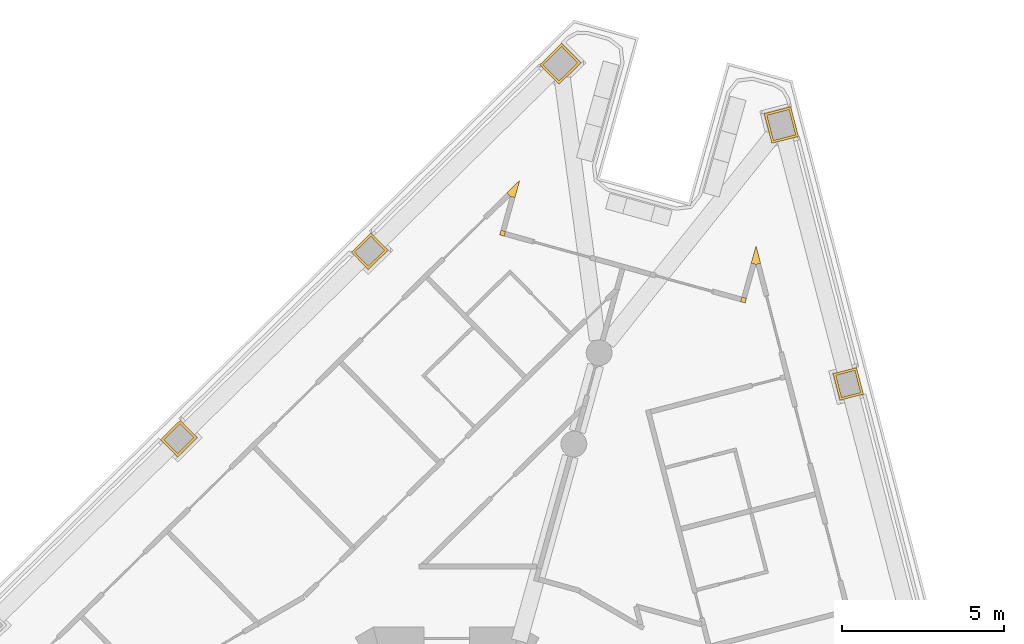
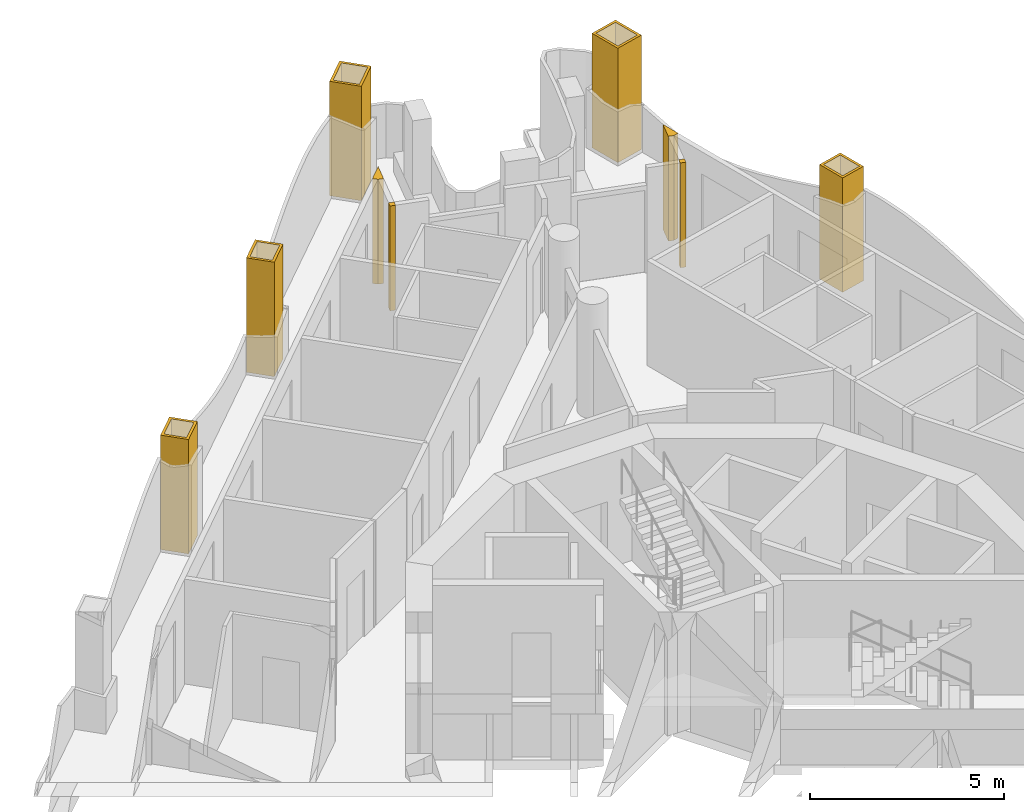
# One storey, part 14 of 15: 9 coverings.
"""IFC4 building model written with IfcOpenShell, lengths in metres."""

from ifc_helpers import new_model, si_unit, direction, frame, origin, place, context, subcontext, project, spatial, polyline, outline, extrude, material, layer, layer_set, type_object, element, save


model = new_model("IFC4")

# Units and contexts
model_context = context("Model", 3, precision=1e-05, world=origin(), true_north=direction((0.0, 1.0)))
body_context = subcontext(model_context, "Body", "Model", "MODEL_VIEW")
ifc_project = project(units=[si_unit("LENGTHUNIT", "METRE"), si_unit("AREAUNIT", "SQUARE_METRE"), si_unit("VOLUMEUNIT", "CUBIC_METRE"), si_unit("PLANEANGLEUNIT", "RADIAN"), si_unit("MASSUNIT", "GRAM", prefix="KILO")], contexts=[model_context])

# Site, building, storey
site_placement = place(None, origin())
site = spatial("IfcSite", under=ifc_project, at=site_placement, CompositionType="ELEMENT")
building_placement = place(site_placement, origin())
building = spatial("IfcBuilding", under=site, at=building_placement, Name="Trine Commons Tower", CompositionType="ELEMENT")
storey_placement = place(building_placement, frame((0.0, 0.0, 260.10009765625)))
storey = spatial("IfcBuildingStorey", under=building, at=storey_placement, Name="L68", CompositionType="ELEMENT", Elevation=260.10009765625)

# Coverings
ifc_material_1 = material(Name="Aluminium-framed insulated wall panel", Category="aluminium")
ifc_layer_1 = layer(ifc_material_1, 0.14990234375)
ifc_layer_set_1 = layer_set([ifc_layer_1], Name="Aluminium-framed insulated wall panel")
covering_type_1 = type_object("IfcCoveringType", Name="Glazing corner post, aluminium", PredefinedType="CLADDING", material=ifc_layer_set_1)
covering_1_placement = place(storey_placement, origin())
element("IfcCovering", 1, at=covering_1_placement, inside=storey, type_object=covering_type_1, Name="Glazing corner post 7-02", PredefinedType="CLADDING", context=body_context, shape_type="SweptSolid", body=[
    extrude(outline(polyline([(82.107177734375, 84.280029296875), (82.256591796875, 84.819580078125), (81.857421875, 84.42724609375), (81.962646484375, 84.3203125), (82.107177734375, 84.280029296875)])), origin(), (0.0, 0.0, 1.0), 3.2998046875),
])
covering_2_placement = place(storey_placement, origin())
element("IfcCovering", 2, at=covering_2_placement, inside=storey, type_object=covering_type_1, Name="Glazing corner post 7-03", PredefinedType="CLADDING", context=body_context, shape_type="SweptSolid", body=[
    extrude(outline(polyline([(81.77685546875, 83.08935546875), (81.81689453125, 83.23388671875), (81.67236328125, 83.27392578125), (81.63232421875, 83.12939453125), (81.77685546875, 83.08935546875)])), origin(), (0.0, 0.0, 1.0), 3.2998046875),
])
covering_3_placement = place(storey_placement, origin())
element("IfcCovering", 3, at=covering_3_placement, inside=storey, type_object=covering_type_1, Name="Glazing corner post 7-04", PredefinedType="CLADDING", context=body_context, shape_type="SweptSolid", body=[
    extrude(outline(polyline([(89.081298828125, 81.063720703125), (89.225830078125, 81.023681640625), (89.265869140625, 81.168212890625), (89.121337890625, 81.208251953125), (89.081298828125, 81.063720703125)])), origin(), (0.0, 0.0, 1.0), 3.2998046875),
])
covering_4_placement = place(storey_placement, origin())
element("IfcCovering", 4, at=covering_4_placement, inside=storey, type_object=covering_type_1, Name="Glazing corner post 7-05", PredefinedType="CLADDING", context=body_context, shape_type="SweptSolid", body=[
    extrude(outline(polyline([(89.411376953125, 82.25439453125), (89.555908203125, 82.21435546875), (89.701171875, 82.251953125), (89.56103515625, 82.7939453125), (89.411376953125, 82.25439453125)])), origin(), (0.0, 0.0, 1.0), 3.2998046875),
])
ifc_material_2 = material(Name="Limestone, honed", Category="masonry")
ifc_layer_2 = layer(ifc_material_2, 0.074951171875)
ifc_layer_set_2 = layer_set([ifc_layer_2], Name="Limestone, honed")
covering_type_2 = type_object("IfcCoveringType", Name="Limestone column cladding 75", PredefinedType="CLADDING", material=ifc_layer_set_2)
covering_5_placement = place(storey_placement, origin())
element("IfcCovering", 5, at=covering_5_placement, inside=storey, type_object=covering_type_2, Name="Limestone pier cladding 7-10", PredefinedType="CLADDING", context=body_context, shape_type="SweptSolid", body=[
    extrude(outline(polyline([(72.281005859375, 76.860107421875), (71.755126953125, 77.39501953125), (71.14892578125, 76.79931640625), (71.674560546875, 76.26416015625), (72.281005859375, 76.860107421875)]), holes=[polyline([(72.1748046875, 76.86083984375), (71.75439453125, 77.288818359375), (71.2548828125, 76.79833984375), (71.675537109375, 76.370361328125), (72.1748046875, 76.86083984375)])]), origin(), (0.0, 0.0, 1.0), 3.599853515625),
])
covering_6_placement = place(storey_placement, origin())
element("IfcCovering", 6, at=covering_6_placement, inside=storey, type_object=covering_type_2, Name="Limestone pier cladding 7-11", PredefinedType="CLADDING", context=body_context, shape_type="SweptSolid", body=[
    extrude(outline(polyline([(78.178466796875, 82.655517578125), (77.65283203125, 83.190673828125), (77.04638671875, 82.5947265625), (77.572265625, 82.059814453125), (78.178466796875, 82.655517578125)]), holes=[polyline([(78.072509765625, 82.656494140625), (77.65185546875, 83.08447265625), (77.152587890625, 82.593994140625), (77.572998046875, 82.166015625), (78.072509765625, 82.656494140625)])]), origin(), (0.0, 0.0, 1.0), 3.599853515625),
])
covering_7_placement = place(storey_placement, origin())
element("IfcCovering", 7, at=covering_7_placement, inside=storey, type_object=covering_type_2, Name="Limestone pier cladding 7-12", PredefinedType="CLADDING", context=body_context, shape_type="SweptSolid", body=[
    extrude(outline(polyline([(84.14697265625, 88.45068359375), (83.551025390625, 89.056884765625), (82.87353515625, 88.39111328125), (83.46923828125, 87.78466796875), (84.14697265625, 88.45068359375)]), holes=[polyline([(84.040771484375, 88.451416015625), (83.55029296875, 88.95068359375), (82.9794921875, 88.39013671875), (83.47021484375, 87.890869140625), (84.040771484375, 88.451416015625)])]), origin(), (0.0, 0.0, 1.0), 3.599853515625),
])
covering_8_placement = place(storey_placement, origin())
element("IfcCovering", 8, at=covering_8_placement, inside=storey, type_object=covering_type_2, Name="Limestone pier cladding 7-13", PredefinedType="CLADDING", context=body_context, shape_type="SweptSolid", body=[
    extrude(outline(polyline([(90.6337890625, 87.0927734375), (89.81103515625, 86.8798828125), (90.048828125, 85.960205078125), (90.871826171875, 86.1728515625), (90.6337890625, 87.0927734375)]), holes=[polyline([(90.580078125, 87.001220703125), (89.90234375, 86.825927734375), (90.102783203125, 86.051513671875), (90.780517578125, 86.226806640625), (90.580078125, 87.001220703125)])]), origin(), (0.0, 0.0, 1.0), 3.599853515625),
])
covering_9_placement = place(storey_placement, origin())
element("IfcCovering", 9, at=covering_9_placement, inside=storey, type_object=covering_type_2, Name="Limestone pier cladding 7-14", PredefinedType="CLADDING", context=body_context, shape_type="SweptSolid", body=[
    extrude(outline(polyline([(92.668212890625, 79.0263671875), (91.942138671875, 78.838623046875), (92.155029296875, 78.015625), (92.881103515625, 78.203369140625), (92.668212890625, 79.0263671875)]), holes=[polyline([(92.614501953125, 78.93505859375), (92.03369140625, 78.78466796875), (92.208984375, 78.10693359375), (92.789794921875, 78.25732421875), (92.614501953125, 78.93505859375)])]), origin(), (0.0, 0.0, 1.0), 3.599853515625),
])

save(model, "model.ifc")
